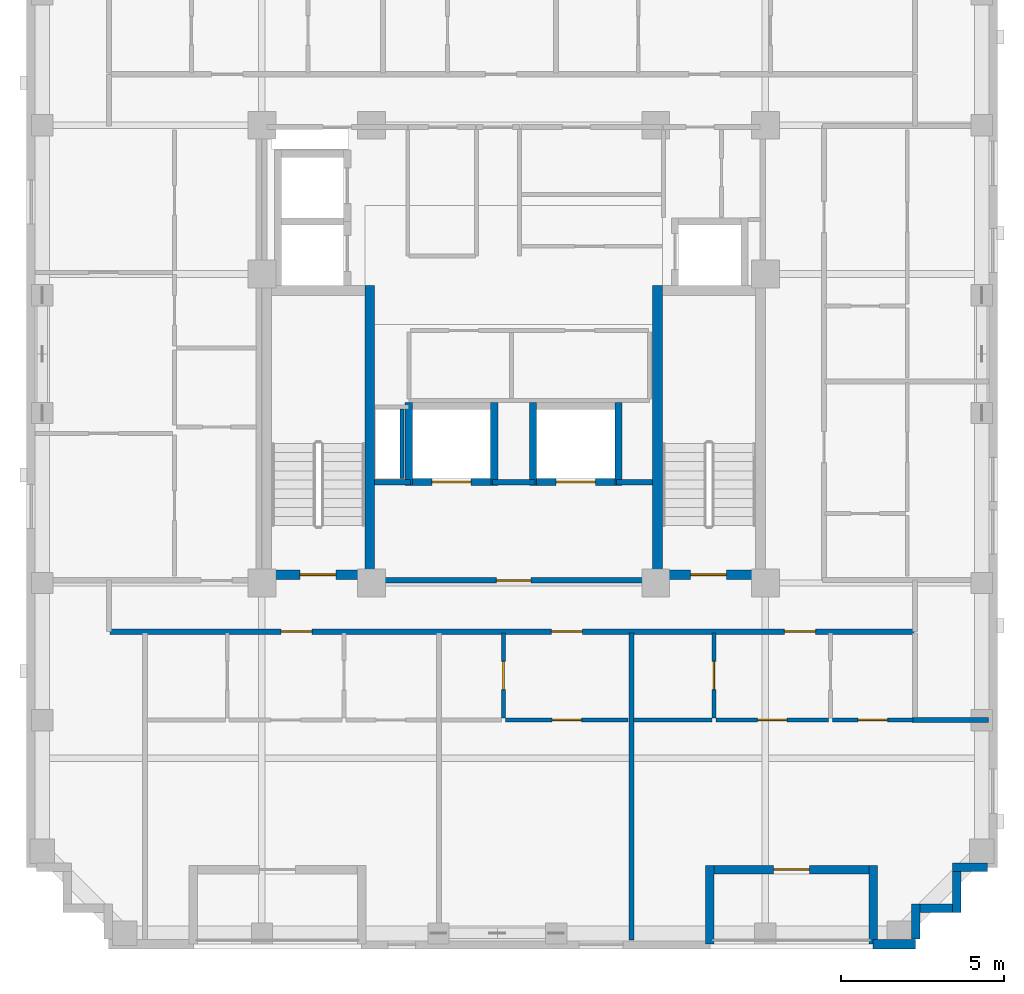
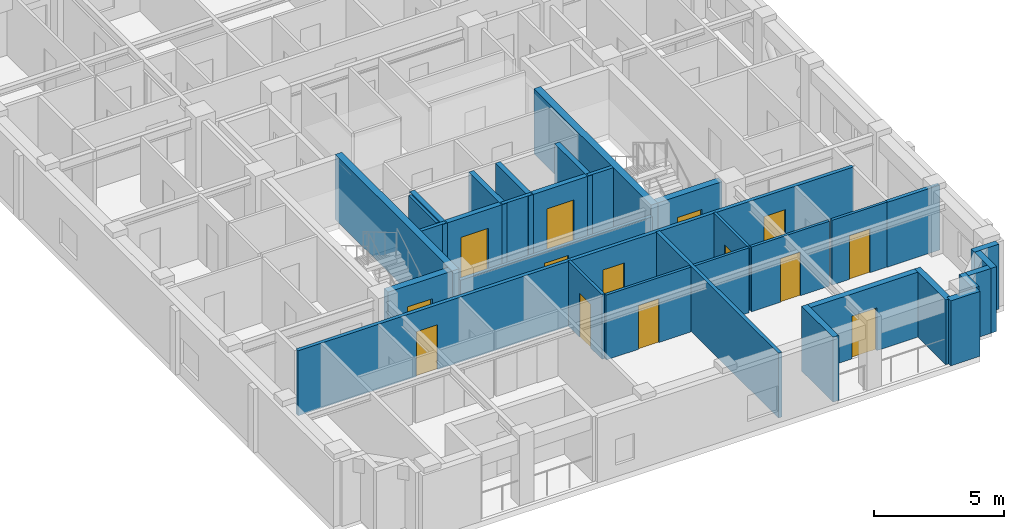
# One storey, part 3 of 11: 32 walls, 14 doors, 14 openings.
"""IFC4 building model written with IfcOpenShell, lengths in metres."""

from ifc_helpers import new_model, si_unit, derived_unit, direction, frame, frame_2d, origin, place, context, subcontext, project, spatial, rectangle, extrude, material, layer, layer_set, type_object, element, fill, save


model = new_model("IFC4")

# Units and contexts
model_context = context("Model", 3, precision=1e-05, world=origin(), true_north=direction((0.0, 1.0)))
body_context = subcontext(model_context, "Body", "Model", "MODEL_VIEW")
ifc_project = project(units=[si_unit("LENGTHUNIT", "METRE"), si_unit("AREAUNIT", "SQUARE_METRE"), si_unit("VOLUMEUNIT", "CUBIC_METRE"), si_unit("PLANEANGLEUNIT", "RADIAN"), si_unit("MASSUNIT", "GRAM", prefix="KILO"), derived_unit("THERMALTRANSMITTANCEUNIT", [(si_unit("MASSUNIT", "GRAM", prefix="KILO"), 1), (si_unit("TIMEUNIT", "SECOND"), -3), (si_unit("THERMODYNAMICTEMPERATUREUNIT", "KELVIN"), -1)])], contexts=[model_context])

# Site, building, storey
site_placement = place(None, origin())
site = spatial("IfcSite", under=ifc_project, at=site_placement, CompositionType="ELEMENT")
building_placement = place(site_placement, origin())
building = spatial("IfcBuilding", under=site, at=building_placement, Name="Korrvale Station Residences", CompositionType="ELEMENT")
storey_placement = place(building_placement, frame((0.0, 0.0, 210.699951171875)))
storey = spatial("IfcBuildingStorey", under=building, at=storey_placement, Name="L61", CompositionType="ELEMENT", Elevation=210.699951171875)

# Wall
ifc_material_1 = material(Name="Concrete C50/60", Category="concrete")
ifc_layer_1 = layer(ifc_material_1, 0.300048828125, Name="Concrete C50/60")
ifc_layer_set_1 = layer_set([ifc_layer_1], Name="Concrete C50/60")
wall_type_1 = type_object("IfcWallType", Name="WAL-CORE-300-C50", PredefinedType="SHEAR", material=ifc_layer_set_1)
wall_1_placement = place(storey_placement, frame((21.10009765625, 15.10009765625, 0.0), z_axis=(0.0, 0.0, 1.0), x_axis=(0.0, 1.0, 0.0)))
element("IfcWall", 1, at=wall_1_placement, inside=storey, type_object=wall_type_1, Name="L61 ST-1 Core Shear Wall East", PredefinedType="SHEAR", context=body_context, shape_type="SweptSolid", body=[
    extrude(rectangle(XDim=9.0, YDim=0.300048828125, at=frame_2d((4.5, 0.0))), origin(), (0.0, 0.0, 1.0), 3.0400390625),
])

# Wall, opening, door
wall_2_placement = place(storey_placement, frame((18.10009765625, 15.25, 0.0), z_axis=(0.0, 0.0, 1.0), x_axis=(1.0, 0.0, 0.0)))
wall_2 = element("IfcWall", 2, at=wall_2_placement, inside=storey, type_object=wall_type_1, Name="L61 ST-1 Core Shear Wall South", PredefinedType="SHEAR", context=body_context, shape_type="SweptSolid", body=[
    extrude(rectangle(XDim=2.849853515625, YDim=0.300048828125, at=frame_2d((1.4248046875, 0.0))), origin(), (0.0, 0.0, 1.0), 3.0400390625),
])
opening_1_placement = place(wall_2_placement, frame((0.860107421875, 0.0, 0.0)))
opening_1 = element("IfcOpeningElement", 3, at=opening_1_placement, cuts=wall_2, Name="Opening SD-1100", PredefinedType="OPENING", context=body_context, shape_type="SweptSolid", body=[
    extrude(rectangle(XDim=1.10009765625, YDim=2.050048828125, at=frame_2d((0.550048828125, 1.02490234375))), frame((0.0, 0.16015625, 0.0), z_axis=(0.0, -1.0, 0.0), x_axis=(1.0, 0.0, 0.0)), (0.0, 0.0, 1.0), 0.320068359375),
])
ifc_material_2 = material(Name="Hollow-metal fire-rated stair door with closer", Category="steel")
door_type_1 = type_object("IfcDoorType", Name="DR-STAIR-1100", OperationType="NOTDEFINED", PredefinedType="DOOR", material=ifc_material_2)
door_1_placement = place(opening_1_placement, origin())
door_1 = element("IfcDoor", 4, at=door_1_placement, inside=storey, type_object=door_type_1, Name="L61 ST-1 Exit Stair Door", OperationType="SINGLE_SWING_LEFT", OverallHeight=2.050048828125, OverallWidth=1.10009765625, PredefinedType="DOOR", context=body_context, shape_type="SweptSolid", body=[
    extrude(rectangle(XDim=1.10009765625, YDim=2.050048828125, at=frame_2d((0.550048828125, 1.02490234375))), frame((0.0, 0.02490234375, 0.0), z_axis=(0.0, -1.0, 0.0), x_axis=(1.0, 0.0, 0.0)), (0.0, 0.0, 1.0), 0.050048828125),
])
fill(opening_1, door_1)

# Wall
wall_3_placement = place(storey_placement, frame((29.89990234375, 15.10009765625, 0.0), z_axis=(0.0, 0.0, 1.0), x_axis=(0.0, 1.0, 0.0)))
element("IfcWall", 5, at=wall_3_placement, inside=storey, type_object=wall_type_1, Name="L61 ST-2 Core Shear Wall West", PredefinedType="SHEAR", context=body_context, shape_type="SweptSolid", body=[
    extrude(rectangle(XDim=9.0, YDim=0.300048828125, at=frame_2d((4.5, 0.0))), origin(), (0.0, 0.0, 1.0), 3.0400390625),
])

# Wall, opening, door
wall_4_placement = place(storey_placement, frame((30.050048828125, 15.25, 0.0), z_axis=(0.0, 0.0, 1.0), x_axis=(1.0, 0.0, 0.0)))
wall_4 = element("IfcWall", 6, at=wall_4_placement, inside=storey, type_object=wall_type_1, Name="L61 ST-2 Core Shear Wall South", PredefinedType="SHEAR", context=body_context, shape_type="SweptSolid", body=[
    extrude(rectangle(XDim=2.849853515625, YDim=0.300048828125, at=frame_2d((1.4248046875, 0.0))), origin(), (0.0, 0.0, 1.0), 3.0400390625),
])
opening_2_placement = place(wall_4_placement, frame((0.860107421875, 0.0, 0.0)))
opening_2 = element("IfcOpeningElement", 7, at=opening_2_placement, cuts=wall_4, Name="Opening SD-1100", PredefinedType="OPENING", context=body_context, shape_type="SweptSolid", body=[
    extrude(rectangle(XDim=1.10009765625, YDim=2.050048828125, at=frame_2d((0.550048828125, 1.02490234375))), frame((0.0, 0.16015625, 0.0), z_axis=(0.0, -1.0, 0.0), x_axis=(1.0, 0.0, 0.0)), (0.0, 0.0, 1.0), 0.320068359375),
])
door_2_placement = place(opening_2_placement, origin())
door_2 = element("IfcDoor", 8, at=door_2_placement, inside=storey, type_object=door_type_1, Name="L61 ST-2 Exit Stair Door", OperationType="SINGLE_SWING_RIGHT", OverallHeight=2.050048828125, OverallWidth=1.10009765625, PredefinedType="DOOR", context=body_context, shape_type="SweptSolid", body=[
    extrude(rectangle(XDim=1.10009765625, YDim=2.050048828125, at=frame_2d((0.550048828125, 1.02490234375))), frame((0.0, 0.02490234375, 0.0), z_axis=(0.0, -1.0, 0.0), x_axis=(1.0, 0.0, 0.0)), (0.0, 0.0, 1.0), 0.050048828125),
])
fill(opening_2, door_2)

# Wall
ifc_material_3 = material(Name="Precast concrete C45/55", Category="concrete")
ifc_layer_2 = layer(ifc_material_3, 0.260009765625, Name="Precast concrete C45/55")
ifc_layer_set_2 = layer_set([ifc_layer_2], Name="Precast concrete C45/55")
wall_type_2 = type_object("IfcWallType", Name="WAL-EXT-LOG260", PredefinedType="SOLIDWALL", material=ifc_layer_set_2)
wall_5_placement = place(storey_placement, frame((36.5, 3.9599609375, 0.0), z_axis=(0.0, 0.0, 1.0), x_axis=(0.0, 1.0, 0.0)))
element("IfcWall", 9, at=wall_5_placement, inside=storey, type_object=wall_type_2, Name="L61 Recessed Loggia Wall BAL-L61-S2-L", PredefinedType="SOLIDWALL", context=body_context, shape_type="SweptSolid", body=[
    extrude(rectangle(XDim=2.400146484375, YDim=0.260009765625, at=frame_2d((1.2001953125, 0.0))), origin(), (0.0, 0.0, 1.0), 3.0400390625),
])

# Wall, opening, door
wall_6_placement = place(storey_placement, frame((36.365966796875, 6.22998046875, 0.0), z_axis=(0.0, 0.0, 1.0), x_axis=(-1.0, 0.0, 0.0)))
wall_6 = element("IfcWall", 10, at=wall_6_placement, inside=storey, type_object=wall_type_2, Name="L61 Recessed Loggia Wall BAL-L61-S2-B", PredefinedType="SOLIDWALL", context=body_context, shape_type="SweptSolid", body=[
    extrude(rectangle(XDim=4.73193359375, YDim=0.260009765625, at=frame_2d((2.365966796875, 0.0))), origin(), (0.0, 0.0, 1.0), 3.0400390625),
])
opening_3_placement = place(wall_6_placement, frame((1.81591796875, 0.0, 0.0)))
opening_3 = element("IfcOpeningElement", 11, at=opening_3_placement, cuts=wall_6, Name="Opening BD-01", PredefinedType="OPENING", context=body_context, shape_type="SweptSolid", body=[
    extrude(rectangle(XDim=1.10009765625, YDim=2.0, at=frame_2d((0.550048828125, 1.0))), frame((0.0, 0.14013671875, 0.0), z_axis=(0.0, -1.0, 0.0), x_axis=(1.0, 0.0, 0.0)), (0.0, 0.0, 1.0), 0.280029296875),
])
ifc_material_4 = material(Name="Exterior thermally broken aluminium glazed balcony door", Category="aluminium")
door_type_2 = type_object("IfcDoorType", Name="DR-EXT-BAL", OperationType="NOTDEFINED", PredefinedType="DOOR", material=ifc_material_4)
door_3_placement = place(opening_3_placement, origin())
door_3 = element("IfcDoor", 12, at=door_3_placement, inside=storey, type_object=door_type_2, Name="L61 Loggia Balcony Door BAL-L61-S2", OperationType="SINGLE_SWING_LEFT", OverallHeight=2.0, OverallWidth=1.10009765625, PredefinedType="DOOR", context=body_context, shape_type="SweptSolid", body=[
    extrude(rectangle(XDim=1.10009765625, YDim=2.0, at=frame_2d((0.550048828125, 1.0))), frame((0.0, 0.02490234375, 0.0), z_axis=(0.0, -1.0, 0.0), x_axis=(1.0, 0.0, 0.0)), (0.0, 0.0, 1.0), 0.050048828125),
])
fill(opening_3, door_3)

# Walls
wall_7_placement = place(storey_placement, frame((31.5, 6.360107421875, 0.0), z_axis=(0.0, 0.0, 1.0), x_axis=(0.0, -1.0, 0.0)))
element("IfcWall", 13, at=wall_7_placement, inside=storey, type_object=wall_type_2, Name="L61 Recessed Loggia Wall BAL-L61-S2-R", PredefinedType="SOLIDWALL", context=body_context, shape_type="SweptSolid", body=[
    extrude(rectangle(XDim=2.400146484375, YDim=0.260009765625, at=frame_2d((1.2001953125, 0.0))), origin(), (0.0, 0.0, 1.0), 3.0400390625),
])
wall_8_placement = place(storey_placement, frame((39.998046875, 6.300048828125, 0.0), z_axis=(0.0, 0.0, 1.0), x_axis=(-1.0, 0.0, 0.0)))
element("IfcWall", 14, at=wall_8_placement, inside=storey, type_object=wall_type_2, Name="L61 Serrated Corner Precast Step SE-1", PredefinedType="SOLIDWALL", context=body_context, shape_type="SweptSolid", body=[
    extrude(rectangle(XDim=1.078125, YDim=0.260009765625, at=frame_2d((0.5390625, 0.0))), origin(), (0.0, 0.0, 1.0), 3.0400390625),
])
wall_9_placement = place(storey_placement, frame((39.050048828125, 6.16796875, 0.0), z_axis=(0.0, 0.0, 1.0), x_axis=(0.0, -1.0, 0.0)))
element("IfcWall", 15, at=wall_9_placement, inside=storey, type_object=wall_type_2, Name="L61 Serrated Corner Precast Step SE-2", PredefinedType="SOLIDWALL", context=body_context, shape_type="SweptSolid", body=[
    extrude(rectangle(XDim=1.248046875, YDim=0.260009765625, at=frame_2d((0.6240234375, 0.0))), origin(), (0.0, 0.0, 1.0), 3.0400390625),
])
wall_10_placement = place(storey_placement, frame((38.91796875, 5.050048828125, 0.0), z_axis=(0.0, 0.0, 1.0), x_axis=(-1.0, 0.0, 0.0)))
element("IfcWall", 16, at=wall_10_placement, inside=storey, type_object=wall_type_2, Name="L61 Serrated Corner Precast Step SE-3", PredefinedType="SOLIDWALL", context=body_context, shape_type="SweptSolid", body=[
    extrude(rectangle(XDim=0.986083984375, YDim=0.260009765625, at=frame_2d((0.4931640625, 0.0))), origin(), (0.0, 0.0, 1.0), 3.0400390625),
])
wall_11_placement = place(storey_placement, frame((37.800048828125, 5.179931640625, 0.0), z_axis=(0.0, 0.0, 1.0), x_axis=(0.0, -1.0, 0.0)))
element("IfcWall", 17, at=wall_11_placement, inside=storey, type_object=wall_type_2, Name="L61 Serrated Corner Precast Step SE-4", PredefinedType="SOLIDWALL", context=body_context, shape_type="SweptSolid", body=[
    extrude(rectangle(XDim=1.077880859375, YDim=0.260009765625, at=frame_2d((0.5390625, 0.0))), origin(), (0.0, 0.0, 1.0), 3.0400390625),
])
ifc_layer_3 = layer(ifc_material_3, 0.300048828125, Name="Precast concrete C45/55")
ifc_layer_set_3 = layer_set([ifc_layer_3], Name="Precast concrete C45/55")
wall_type_3 = type_object("IfcWallType", Name="WAL-EXT-PC300", PredefinedType="SOLIDWALL", material=ifc_layer_set_3)
wall_12_placement = place(storey_placement, frame((37.800048828125, 3.949951171875, 0.0), z_axis=(0.0, 0.0, 1.0), x_axis=(-1.0, 0.0, 0.0)))
element("IfcWall", 18, at=wall_12_placement, inside=storey, type_object=wall_type_3, Name="L61 South Exterior Precast Wall 1", PredefinedType="SOLIDWALL", context=body_context, shape_type="SweptSolid", body=[
    extrude(rectangle(XDim=1.300048828125, YDim=0.300048828125, at=frame_2d((0.64990234375, 0.0))), origin(), (0.0, 0.0, 1.0), 3.0400390625),
])
ifc_material_5 = material(Name="Acoustic steel-stud gypsum board partition", Category="steel")
ifc_layer_4 = layer(ifc_material_5, 0.1201171875, Name="Acoustic steel-stud gypsum board partition")
ifc_layer_set_4 = layer_set([ifc_layer_4], Name="Acoustic steel-stud gypsum board partition")
wall_type_4 = type_object("IfcWallType", Name="WAL-PART-125", PredefinedType="PARTITIONING", material=ifc_layer_set_4)
wall_13_placement = place(storey_placement, frame((22.080078125, 18.199951171875, 0.0), z_axis=(0.0, 0.0, 1.0), x_axis=(0.0, 1.0, 0.0)))
element("IfcWall", 19, at=wall_13_placement, inside=storey, type_object=wall_type_4, Name="L61 Core Partition CW-RSWT", PredefinedType="PARTITIONING", context=body_context, shape_type="SweptSolid", body=[
    extrude(rectangle(XDim=2.1201171875, YDim=0.1201171875, at=frame_2d((1.06005859375, 0.0))), origin(), (0.0, 0.0, 1.0), 3.0400390625),
])

# Wall, opening, door
wall_14_placement = place(storey_placement, frame((25.18994140625, 10.8701171875, 0.0), z_axis=(0.0, 0.0, 1.0), x_axis=(0.0, 1.0, 0.0)))
wall_14 = element("IfcWall", 20, at=wall_14_placement, inside=storey, type_object=wall_type_4, Name="L61 Suite Partition U02-V01", PredefinedType="PARTITIONING", context=body_context, shape_type="SweptSolid", body=[
    extrude(rectangle(XDim=2.599853515625, YDim=0.1201171875, at=frame_2d((1.2998046875, 0.0))), origin(), (0.0, 0.0, 1.0), 3.0400390625),
])
opening_4_placement = place(wall_14_placement, frame((0.8701171875, 0.0, 0.0)))
opening_4 = element("IfcOpeningElement", 21, at=opening_4_placement, cuts=wall_14, Name="Opening DB-860", PredefinedType="OPENING", context=body_context, shape_type="SweptSolid", body=[
    extrude(rectangle(XDim=0.860107421875, YDim=2.050048828125, at=frame_2d((0.43017578125, 1.02490234375))), frame((0.0, 0.070068359375, 0.0), z_axis=(0.0, -1.0, 0.0), x_axis=(1.0, 0.0, 0.0)), (0.0, 0.0, 1.0), 0.14013671875),
])
ifc_material_6 = material(Name="Moisture-resistant solid-core bathroom door", Category="timber")
door_type_3 = type_object("IfcDoorType", Name="DR-BATH-860", OperationType="NOTDEFINED", PredefinedType="DOOR", material=ifc_material_6)
door_4_placement = place(opening_4_placement, origin())
door_4 = element("IfcDoor", 22, at=door_4_placement, inside=storey, type_object=door_type_3, Name="L61 Studio Apartment L61-U02 Bathroom Door", OperationType="SINGLE_SWING_RIGHT", OverallHeight=2.050048828125, OverallWidth=0.860107421875, PredefinedType="DOOR", context=body_context, shape_type="SweptSolid", body=[
    extrude(rectangle(XDim=0.860107421875, YDim=2.050048828125, at=frame_2d((0.43017578125, 1.02490234375))), frame((0.0, 0.02490234375, 0.0), z_axis=(0.0, -1.0, 0.0), x_axis=(1.0, 0.0, 0.0)), (0.0, 0.0, 1.0), 0.050048828125),
])
fill(opening_4, door_4)

wall_15_placement = place(storey_placement, frame((25.25, 10.81005859375, 0.0), z_axis=(0.0, 0.0, 1.0), x_axis=(1.0, 0.0, 0.0)))
wall_15 = element("IfcWall", 23, at=wall_15_placement, inside=storey, type_object=wall_type_4, Name="L61 Suite Partition U02-H12", PredefinedType="PARTITIONING", context=body_context, shape_type="SweptSolid", body=[
    extrude(rectangle(XDim=3.7548828125, YDim=0.1201171875, at=frame_2d((1.87744140625, 0.0))), origin(), (0.0, 0.0, 1.0), 3.0400390625),
])
opening_5_placement = place(wall_15_placement, frame((1.427001953125, 0.0, 0.0)))
opening_5 = element("IfcOpeningElement", 24, at=opening_5_placement, cuts=wall_15, Name="Opening DI-900", PredefinedType="OPENING", context=body_context, shape_type="SweptSolid", body=[
    extrude(rectangle(XDim=0.89990234375, YDim=2.050048828125, at=frame_2d((0.449951171875, 1.02490234375))), frame((0.0, 0.070068359375, 0.0), z_axis=(0.0, -1.0, 0.0), x_axis=(1.0, 0.0, 0.0)), (0.0, 0.0, 1.0), 0.14013671875),
])
ifc_material_7 = material(Name="Painted solid-core timber interior room door", Category="wood")
door_type_4 = type_object("IfcDoorType", Name="DR-INT-900", OperationType="NOTDEFINED", PredefinedType="DOOR", material=ifc_material_7)
door_5_placement = place(opening_5_placement, origin())
door_5 = element("IfcDoor", 25, at=door_5_placement, inside=storey, type_object=door_type_4, Name="L61 Studio Apartment L61-U02 Kitchen Door", OperationType="SINGLE_SWING_LEFT", OverallHeight=2.050048828125, OverallWidth=0.89990234375, PredefinedType="DOOR", context=body_context, shape_type="SweptSolid", body=[
    extrude(rectangle(XDim=0.89990234375, YDim=2.050048828125, at=frame_2d((0.449951171875, 1.02490234375))), frame((0.0, 0.02490234375, 0.0), z_axis=(0.0, -1.0, 0.0), x_axis=(1.0, 0.0, 0.0)), (0.0, 0.0, 1.0), 0.050048828125),
])
fill(opening_5, door_5)

wall_16_placement = place(storey_placement, frame((31.625, 10.8701171875, 0.0), z_axis=(0.0, 0.0, 1.0), x_axis=(0.0, 1.0, 0.0)))
wall_16 = element("IfcWall", 26, at=wall_16_placement, inside=storey, type_object=wall_type_4, Name="L61 Suite Partition U03-V01", PredefinedType="PARTITIONING", context=body_context, shape_type="SweptSolid", body=[
    extrude(rectangle(XDim=2.599853515625, YDim=0.1201171875, at=frame_2d((1.2998046875, 0.0))), origin(), (0.0, 0.0, 1.0), 3.0400390625),
])
opening_6_placement = place(wall_16_placement, frame((0.8701171875, 0.0, 0.0)))
opening_6 = element("IfcOpeningElement", 27, at=opening_6_placement, cuts=wall_16, Name="Opening DB-860", PredefinedType="OPENING", context=body_context, shape_type="SweptSolid", body=[
    extrude(rectangle(XDim=0.860107421875, YDim=2.050048828125, at=frame_2d((0.43017578125, 1.02490234375))), frame((0.0, 0.070068359375, 0.0), z_axis=(0.0, -1.0, 0.0), x_axis=(1.0, 0.0, 0.0)), (0.0, 0.0, 1.0), 0.14013671875),
])
door_6_placement = place(opening_6_placement, origin())
door_6 = element("IfcDoor", 28, at=door_6_placement, inside=storey, type_object=door_type_3, Name="L61 Studio Apartment L61-U03 Bathroom Door", OperationType="SINGLE_SWING_RIGHT", OverallHeight=2.050048828125, OverallWidth=0.860107421875, PredefinedType="DOOR", context=body_context, shape_type="SweptSolid", body=[
    extrude(rectangle(XDim=0.860107421875, YDim=2.050048828125, at=frame_2d((0.43017578125, 1.02490234375))), frame((0.0, 0.02490234375, 0.0), z_axis=(0.0, -1.0, 0.0), x_axis=(1.0, 0.0, 0.0)), (0.0, 0.0, 1.0), 0.050048828125),
])
fill(opening_6, door_6)

# Wall
wall_17_placement = place(storey_placement, frame((29.1650390625, 10.81005859375, 0.0), z_axis=(0.0, 0.0, 1.0), x_axis=(1.0, 0.0, 0.0)))
element("IfcWall", 29, at=wall_17_placement, inside=storey, type_object=wall_type_4, Name="L61 Suite Partition U03-H03", PredefinedType="PARTITIONING", context=body_context, shape_type="SweptSolid", body=[
    extrude(rectangle(XDim=2.39990234375, YDim=0.1201171875, at=frame_2d((1.199951171875, 0.0))), origin(), (0.0, 0.0, 1.0), 3.0400390625),
])

# Wall, opening, door
wall_18_placement = place(storey_placement, frame((31.68505859375, 10.81005859375, 0.0), z_axis=(0.0, 0.0, 1.0), x_axis=(1.0, 0.0, 0.0)))
wall_18 = element("IfcWall", 30, at=wall_18_placement, inside=storey, type_object=wall_type_4, Name="L61 Suite Partition U03-H13", PredefinedType="PARTITIONING", context=body_context, shape_type="SweptSolid", body=[
    extrude(rectangle(XDim=3.449951171875, YDim=0.1201171875, at=frame_2d((1.72509765625, 0.0))), origin(), (0.0, 0.0, 1.0), 3.0400390625),
])
opening_7_placement = place(wall_18_placement, frame((1.27490234375, 0.0, 0.0)))
opening_7 = element("IfcOpeningElement", 31, at=opening_7_placement, cuts=wall_18, Name="Opening DI-900", PredefinedType="OPENING", context=body_context, shape_type="SweptSolid", body=[
    extrude(rectangle(XDim=0.89990234375, YDim=2.050048828125, at=frame_2d((0.449951171875, 1.02490234375))), frame((0.0, 0.070068359375, 0.0), z_axis=(0.0, -1.0, 0.0), x_axis=(1.0, 0.0, 0.0)), (0.0, 0.0, 1.0), 0.14013671875),
])
door_7_placement = place(opening_7_placement, origin())
door_7 = element("IfcDoor", 32, at=door_7_placement, inside=storey, type_object=door_type_4, Name="L61 Studio Apartment L61-U03 Kitchen Door", OperationType="SINGLE_SWING_RIGHT", OverallHeight=2.050048828125, OverallWidth=0.89990234375, PredefinedType="DOOR", context=body_context, shape_type="SweptSolid", body=[
    extrude(rectangle(XDim=0.89990234375, YDim=2.050048828125, at=frame_2d((0.449951171875, 1.02490234375))), frame((0.0, 0.02490234375, 0.0), z_axis=(0.0, -1.0, 0.0), x_axis=(1.0, 0.0, 0.0)), (0.0, 0.0, 1.0), 0.050048828125),
])
fill(opening_7, door_7)

wall_19_placement = place(storey_placement, frame((35.2548828125, 10.81005859375, 0.0), z_axis=(0.0, 0.0, 1.0), x_axis=(1.0, 0.0, 0.0)))
wall_19 = element("IfcWall", 33, at=wall_19_placement, inside=storey, type_object=wall_type_4, Name="L61 Suite Partition U03-H23", PredefinedType="PARTITIONING", context=body_context, shape_type="SweptSolid", body=[
    extrude(rectangle(XDim=2.465087890625, YDim=0.1201171875, at=frame_2d((1.232421875, 0.0))), origin(), (0.0, 0.0, 1.0), 3.0400390625),
])
opening_8_placement = place(wall_19_placement, frame((0.781982421875, 0.0, 0.0)))
opening_8 = element("IfcOpeningElement", 34, at=opening_8_placement, cuts=wall_19, Name="Opening DI-900", PredefinedType="OPENING", context=body_context, shape_type="SweptSolid", body=[
    extrude(rectangle(XDim=0.89990234375, YDim=2.050048828125, at=frame_2d((0.449951171875, 1.02490234375))), frame((0.0, 0.070068359375, 0.0), z_axis=(0.0, -1.0, 0.0), x_axis=(1.0, 0.0, 0.0)), (0.0, 0.0, 1.0), 0.14013671875),
])
door_8_placement = place(opening_8_placement, origin())
door_8 = element("IfcDoor", 35, at=door_8_placement, inside=storey, type_object=door_type_4, Name="L61 Studio Apartment L61-U03 Utility and Laundry Room Door", OperationType="SINGLE_SWING_LEFT", OverallHeight=2.050048828125, OverallWidth=0.89990234375, PredefinedType="DOOR", context=body_context, shape_type="SweptSolid", body=[
    extrude(rectangle(XDim=0.89990234375, YDim=2.050048828125, at=frame_2d((0.449951171875, 1.02490234375))), frame((0.0, 0.02490234375, 0.0), z_axis=(0.0, -1.0, 0.0), x_axis=(1.0, 0.0, 0.0)), (0.0, 0.0, 1.0), 0.050048828125),
])
fill(opening_8, door_8)

ifc_material_8 = material(Name="Fire-rated twin-stud gypsum and mineral wool shaftwall assembly", Category="gypsum")
ifc_layer_5 = layer(ifc_material_8, 0.159912109375, Name="Fire-rated twin-stud gypsum and mineral wool shaftwall assembly")
ifc_layer_set_5 = layer_set([ifc_layer_5], Name="Fire-rated twin-stud gypsum and mineral wool shaftwall assembly")
wall_type_5 = type_object("IfcWallType", Name="WAL-PART-200", PredefinedType="PARTITIONING", material=ifc_layer_set_5)
wall_20_placement = place(storey_placement, frame((21.25, 15.080078125, 0.0), z_axis=(0.0, 0.0, 1.0), x_axis=(1.0, 0.0, 0.0)))
wall_20 = element("IfcWall", 36, at=wall_20_placement, inside=storey, type_object=wall_type_5, Name="L61 Core Partition CW-FFL-S", PredefinedType="PARTITIONING", context=body_context, shape_type="SweptSolid", body=[
    extrude(rectangle(XDim=8.5, YDim=0.159912109375, at=frame_2d((4.25, 0.0))), origin(), (0.0, 0.0, 1.0), 2.55615234375),
])
opening_9_placement = place(wall_20_placement, frame((3.72509765625, 0.0, 0.0)))
opening_9 = element("IfcOpeningElement", 37, at=opening_9_placement, cuts=wall_20, Name="Opening FD-1050", PredefinedType="OPENING", context=body_context, shape_type="SweptSolid", body=[
    extrude(rectangle(XDim=1.050048828125, YDim=2.050048828125, at=frame_2d((0.52490234375, 1.02490234375))), frame((0.0, 0.08984375, 0.0), z_axis=(0.0, -1.0, 0.0), x_axis=(1.0, 0.0, 0.0)), (0.0, 0.0, 1.0), 0.179931640625),
])
ifc_material_9 = material(Name="Fire-rated mineral-core timber lobby door", Category="wood")
door_type_5 = type_object("IfcDoorType", Name="DR-CORE-1050", OperationType="NOTDEFINED", PredefinedType="DOOR", material=ifc_material_9)
door_9_placement = place(opening_9_placement, origin())
door_9 = element("IfcDoor", 38, at=door_9_placement, inside=storey, type_object=door_type_5, Name="L61 Firefighting Lobby Entry Door", OperationType="SINGLE_SWING_RIGHT", OverallHeight=2.050048828125, OverallWidth=1.050048828125, PredefinedType="DOOR", context=body_context, shape_type="SweptSolid", body=[
    extrude(rectangle(XDim=1.050048828125, YDim=2.050048828125, at=frame_2d((0.52490234375, 1.02490234375))), frame((0.0, 0.02490234375, 0.0), z_axis=(0.0, -1.0, 0.0), x_axis=(1.0, 0.0, 0.0)), (0.0, 0.0, 1.0), 0.050048828125),
])
fill(opening_9, door_9)

# Walls
wall_21_placement = place(storey_placement, frame((21.25, 18.080078125, 0.0), z_axis=(0.0, 0.0, 1.0), x_axis=(1.0, 0.0, 0.0)))
element("IfcWall", 39, at=wall_21_placement, inside=storey, type_object=wall_type_5, Name="L61 Core Partition CW-FFL-N1", PredefinedType="PARTITIONING", context=body_context, shape_type="SweptSolid", body=[
    extrude(rectangle(XDim=1.10009765625, YDim=0.159912109375, at=frame_2d((0.550048828125, 0.0))), origin(), (0.0, 0.0, 1.0), 3.0400390625),
])
wall_22_placement = place(storey_placement, frame((24.85009765625, 18.080078125, 0.0), z_axis=(0.0, 0.0, 1.0), x_axis=(1.0, 0.0, 0.0)))
element("IfcWall", 40, at=wall_22_placement, inside=storey, type_object=wall_type_5, Name="L61 Core Partition CW-FFL-N2", PredefinedType="PARTITIONING", context=body_context, shape_type="SweptSolid", body=[
    extrude(rectangle(XDim=1.2998046875, YDim=0.159912109375, at=frame_2d((0.64990234375, 0.0))), origin(), (0.0, 0.0, 1.0), 3.0400390625),
])
wall_23_placement = place(storey_placement, frame((28.64990234375, 18.080078125, 0.0), z_axis=(0.0, 0.0, 1.0), x_axis=(1.0, 0.0, 0.0)))
element("IfcWall", 41, at=wall_23_placement, inside=storey, type_object=wall_type_5, Name="L61 Core Partition CW-FFL-N3", PredefinedType="PARTITIONING", context=body_context, shape_type="SweptSolid", body=[
    extrude(rectangle(XDim=1.10009765625, YDim=0.159912109375, at=frame_2d((0.550048828125, 0.0))), origin(), (0.0, 0.0, 1.0), 3.0400390625),
])
wall_24_placement = place(storey_placement, frame((37.679931640625, 10.81005859375, 0.0), z_axis=(0.0, 0.0, 1.0), x_axis=(1.0, 0.0, 0.0)))
element("IfcWall", 42, at=wall_24_placement, inside=storey, type_object=wall_type_5, Name="L61 Corner Step Wall U03-R", PredefinedType="PARTITIONING", context=body_context, shape_type="SweptSolid", body=[
    extrude(rectangle(XDim=2.340087890625, YDim=0.159912109375, at=frame_2d((1.169921875, 0.0))), origin(), (0.0, 0.0, 1.0), 3.0400390625),
])
wall_25_placement = place(storey_placement, frame((29.10498046875, 4.080078125, 0.0), z_axis=(0.0, 0.0, 1.0), x_axis=(0.0, 1.0, 0.0)))
element("IfcWall", 43, at=wall_25_placement, inside=storey, type_object=wall_type_5, Name="L61 Demising Wall U03-W", PredefinedType="PARTITIONING", context=body_context, shape_type="SweptSolid", body=[
    extrude(rectangle(XDim=9.389892578125, YDim=0.159912109375, at=frame_2d((4.69482421875, 0.0))), origin(), (0.0, 0.0, 1.0), 3.0400390625),
])

# Wall, openings, doors
wall_26_placement = place(storey_placement, frame((13.14990234375, 13.510009765625, 0.0), z_axis=(0.0, 0.0, 1.0), x_axis=(1.0, 0.0, 0.0)))
wall_26 = element("IfcWall", 44, at=wall_26_placement, inside=storey, type_object=wall_type_5, Name="L61 Rated Corridor Wall S", PredefinedType="PARTITIONING", context=body_context, shape_type="SweptSolid", body=[
    extrude(rectangle(XDim=24.60009765625, YDim=0.159912109375, at=frame_2d((12.300048828125, 0.0))), origin(), (0.0, 0.0, 1.0), 3.0400390625),
])
opening_10_placement = place(wall_26_placement, frame((5.235107421875, 0.0, 0.0)))
opening_10 = element("IfcOpeningElement", 45, at=opening_10_placement, cuts=wall_26, Name="Opening UD-950", PredefinedType="OPENING", context=body_context, shape_type="SweptSolid", body=[
    extrude(rectangle(XDim=0.949951171875, YDim=2.10009765625, at=frame_2d((0.47509765625, 1.050048828125))), frame((0.0, 0.08984375, 0.0), z_axis=(0.0, -1.0, 0.0), x_axis=(1.0, 0.0, 0.0)), (0.0, 0.0, 1.0), 0.179931640625),
])
opening_11_placement = place(wall_26_placement, frame((13.5029296875, 0.0, 0.0)))
opening_11 = element("IfcOpeningElement", 46, at=opening_11_placement, cuts=wall_26, Name="Opening UD-950", PredefinedType="OPENING", context=body_context, shape_type="SweptSolid", body=[
    extrude(rectangle(XDim=0.949951171875, YDim=2.10009765625, at=frame_2d((0.47509765625, 1.050048828125))), frame((0.0, 0.08984375, 0.0), z_axis=(0.0, -1.0, 0.0), x_axis=(1.0, 0.0, 0.0)), (0.0, 0.0, 1.0), 0.179931640625),
])
opening_12_placement = place(wall_26_placement, frame((20.635009765625, 0.0, 0.0)))
opening_12 = element("IfcOpeningElement", 47, at=opening_12_placement, cuts=wall_26, Name="Opening UD-950", PredefinedType="OPENING", context=body_context, shape_type="SweptSolid", body=[
    extrude(rectangle(XDim=0.949951171875, YDim=2.10009765625, at=frame_2d((0.47509765625, 1.050048828125))), frame((0.0, 0.08984375, 0.0), z_axis=(0.0, -1.0, 0.0), x_axis=(1.0, 0.0, 0.0)), (0.0, 0.0, 1.0), 0.179931640625),
])
ifc_material_10 = material(Name="Solid-core acoustic oak apartment entrance door", Category="timber")
door_type_6 = type_object("IfcDoorType", Name="DR-UNIT-950", OperationType="NOTDEFINED", PredefinedType="DOOR", material=ifc_material_10)
door_10_placement = place(opening_10_placement, origin())
door_10 = element("IfcDoor", 48, at=door_10_placement, inside=storey, type_object=door_type_6, Name="L61 Apartment L61-U01 Entrance Door", OperationType="SINGLE_SWING_RIGHT", OverallHeight=2.10009765625, OverallWidth=0.949951171875, PredefinedType="DOOR", context=body_context, shape_type="SweptSolid", body=[
    extrude(rectangle(XDim=0.949951171875, YDim=2.10009765625, at=frame_2d((0.47509765625, 1.050048828125))), frame((0.0, 0.02490234375, 0.0), z_axis=(0.0, -1.0, 0.0), x_axis=(1.0, 0.0, 0.0)), (0.0, 0.0, 1.0), 0.050048828125),
])
fill(opening_10, door_10)
door_11_placement = place(opening_11_placement, origin())
door_11 = element("IfcDoor", 49, at=door_11_placement, inside=storey, type_object=door_type_6, Name="L61 Apartment L61-U02 Entrance Door", OperationType="SINGLE_SWING_LEFT", OverallHeight=2.10009765625, OverallWidth=0.949951171875, PredefinedType="DOOR", context=body_context, shape_type="SweptSolid", body=[
    extrude(rectangle(XDim=0.949951171875, YDim=2.10009765625, at=frame_2d((0.47509765625, 1.050048828125))), frame((0.0, 0.02490234375, 0.0), z_axis=(0.0, -1.0, 0.0), x_axis=(1.0, 0.0, 0.0)), (0.0, 0.0, 1.0), 0.050048828125),
])
fill(opening_11, door_11)
door_12_placement = place(opening_12_placement, origin())
door_12 = element("IfcDoor", 50, at=door_12_placement, inside=storey, type_object=door_type_6, Name="L61 Apartment L61-U03 Entrance Door", OperationType="SINGLE_SWING_RIGHT", OverallHeight=2.10009765625, OverallWidth=0.949951171875, PredefinedType="DOOR", context=body_context, shape_type="SweptSolid", body=[
    extrude(rectangle(XDim=0.949951171875, YDim=2.10009765625, at=frame_2d((0.47509765625, 1.050048828125))), frame((0.0, 0.02490234375, 0.0), z_axis=(0.0, -1.0, 0.0), x_axis=(1.0, 0.0, 0.0)), (0.0, 0.0, 1.0), 0.050048828125),
])
fill(opening_12, door_12)

# Wall, opening, door
ifc_layer_6 = layer(ifc_material_1, 0.219970703125, Name="Concrete C50/60")
ifc_layer_set_6 = layer_set([ifc_layer_6], Name="Concrete C50/60")
wall_type_6 = type_object("IfcWallType", Name="WAL-SHAFT-220-C50", PredefinedType="SHEAR", material=ifc_layer_set_6)
wall_27_placement = place(storey_placement, frame((22.39990234375, 18.090087890625, 0.0), z_axis=(0.0, 0.0, 1.0), x_axis=(1.0, 0.0, 0.0)))
wall_27 = element("IfcWall", 51, at=wall_27_placement, inside=storey, type_object=wall_type_6, Name="L61 Elevator FFL-1 Hoistway Wall South", PredefinedType="SHEAR", context=body_context, shape_type="SweptSolid", body=[
    extrude(rectangle(XDim=2.400146484375, YDim=0.219970703125, at=frame_2d((1.2001953125, 0.0))), origin(), (0.0, 0.0, 1.0), 3.0400390625),
])
opening_13_placement = place(wall_27_placement, frame((0.60009765625, 0.0, 0.0)))
opening_13 = element("IfcOpeningElement", 52, at=opening_13_placement, cuts=wall_27, Name="Opening LD-FF1200", PredefinedType="OPENING", context=body_context, shape_type="SweptSolid", body=[
    extrude(rectangle(XDim=1.199951171875, YDim=2.14990234375, at=frame_2d((0.60009765625, 1.074951171875))), frame((0.0, 0.1201171875, 0.0), z_axis=(0.0, -1.0, 0.0), x_axis=(1.0, 0.0, 0.0)), (0.0, 0.0, 1.0), 0.239990234375),
])
ifc_material_11 = material(Name="Stainless-steel firefighter elevator landing sliding door", Category="steel")
door_type_7 = type_object("IfcDoorType", Name="DR-LIFT-FF1200", OperationType="SLIDING_TO_LEFT", PredefinedType="DOOR", material=ifc_material_11)
door_13_placement = place(opening_13_placement, origin())
door_13 = element("IfcDoor", 53, at=door_13_placement, inside=storey, type_object=door_type_7, Name="L61 Elevator FFL-1 Sliding Landing Door", OperationType="SLIDING_TO_LEFT", OverallHeight=2.14990234375, OverallWidth=1.199951171875, PredefinedType="DOOR", context=body_context, shape_type="SweptSolid", body=[
    extrude(rectangle(XDim=1.199951171875, YDim=2.14990234375, at=frame_2d((0.60009765625, 1.074951171875))), frame((0.0, 0.02490234375, 0.0), z_axis=(0.0, -1.0, 0.0), x_axis=(1.0, 0.0, 0.0)), (0.0, 0.0, 1.0), 0.050048828125),
])
fill(opening_13, door_13)

# Walls
for number, where, z_axis, x_axis, name in (
    (54, (22.2900390625, 17.97998046875, 0.0), (0.0, 0.0, 1.0), (0.0, 1.0, 0.0), "L61 Elevator FFL-1 Hoistway Wall West"),
    (55, (24.909912109375, 17.97998046875, 0.0), (0.0, 0.0, 1.0), (0.0, 1.0, 0.0), "L61 Elevator FFL-1 Hoistway Wall East"),
):
    element("IfcWall", number, at=place(storey_placement, frame(where, z_axis=z_axis, x_axis=x_axis)), inside=storey, type_object=wall_type_6, Name=name, PredefinedType="SHEAR", context=body_context, shape_type="SweptSolid", body=[
        extrude(rectangle(XDim=2.5400390625, YDim=0.219970703125, at=frame_2d((1.27001953125, 0.0))), origin(), (0.0, 0.0, 1.0), 3.0400390625),
    ])

# Wall, opening, door
wall_28_placement = place(storey_placement, frame((26.199951171875, 18.090087890625, 0.0), z_axis=(0.0, 0.0, 1.0), x_axis=(1.0, 0.0, 0.0)))
wall_28 = element("IfcWall", 56, at=wall_28_placement, inside=storey, type_object=wall_type_6, Name="L61 Elevator FFL-2 Hoistway Wall South", PredefinedType="SHEAR", context=body_context, shape_type="SweptSolid", body=[
    extrude(rectangle(XDim=2.400146484375, YDim=0.219970703125, at=frame_2d((1.2001953125, 0.0))), origin(), (0.0, 0.0, 1.0), 3.0400390625),
])
opening_14_placement = place(wall_28_placement, frame((0.60009765625, 0.0, 0.0)))
opening_14 = element("IfcOpeningElement", 57, at=opening_14_placement, cuts=wall_28, Name="Opening LD-FF1200", PredefinedType="OPENING", context=body_context, shape_type="SweptSolid", body=[
    extrude(rectangle(XDim=1.199951171875, YDim=2.14990234375, at=frame_2d((0.60009765625, 1.074951171875))), frame((0.0, 0.1201171875, 0.0), z_axis=(0.0, -1.0, 0.0), x_axis=(1.0, 0.0, 0.0)), (0.0, 0.0, 1.0), 0.239990234375),
])
door_14_placement = place(opening_14_placement, origin())
door_14 = element("IfcDoor", 58, at=door_14_placement, inside=storey, type_object=door_type_7, Name="L61 Elevator FFL-2 Sliding Landing Door", OperationType="SLIDING_TO_LEFT", OverallHeight=2.14990234375, OverallWidth=1.199951171875, PredefinedType="DOOR", context=body_context, shape_type="SweptSolid", body=[
    extrude(rectangle(XDim=1.199951171875, YDim=2.14990234375, at=frame_2d((0.60009765625, 1.074951171875))), frame((0.0, 0.02490234375, 0.0), z_axis=(0.0, -1.0, 0.0), x_axis=(1.0, 0.0, 0.0)), (0.0, 0.0, 1.0), 0.050048828125),
])
fill(opening_14, door_14)

# Walls
for number, where, z_axis, x_axis, name in (
    (59, (26.090087890625, 17.97998046875, 0.0), (0.0, 0.0, 1.0), (0.0, 1.0, 0.0), "L61 Elevator FFL-2 Hoistway Wall West"),
    (60, (28.7099609375, 17.97998046875, 0.0), (0.0, 0.0, 1.0), (0.0, 1.0, 0.0), "L61 Elevator FFL-2 Hoistway Wall East"),
):
    element("IfcWall", number, at=place(storey_placement, frame(where, z_axis=z_axis, x_axis=x_axis)), inside=storey, type_object=wall_type_6, Name=name, PredefinedType="SHEAR", context=body_context, shape_type="SweptSolid", body=[
        extrude(rectangle(XDim=2.5400390625, YDim=0.219970703125, at=frame_2d((1.27001953125, 0.0))), origin(), (0.0, 0.0, 1.0), 3.0400390625),
    ])

save(model, "model.ifc")
